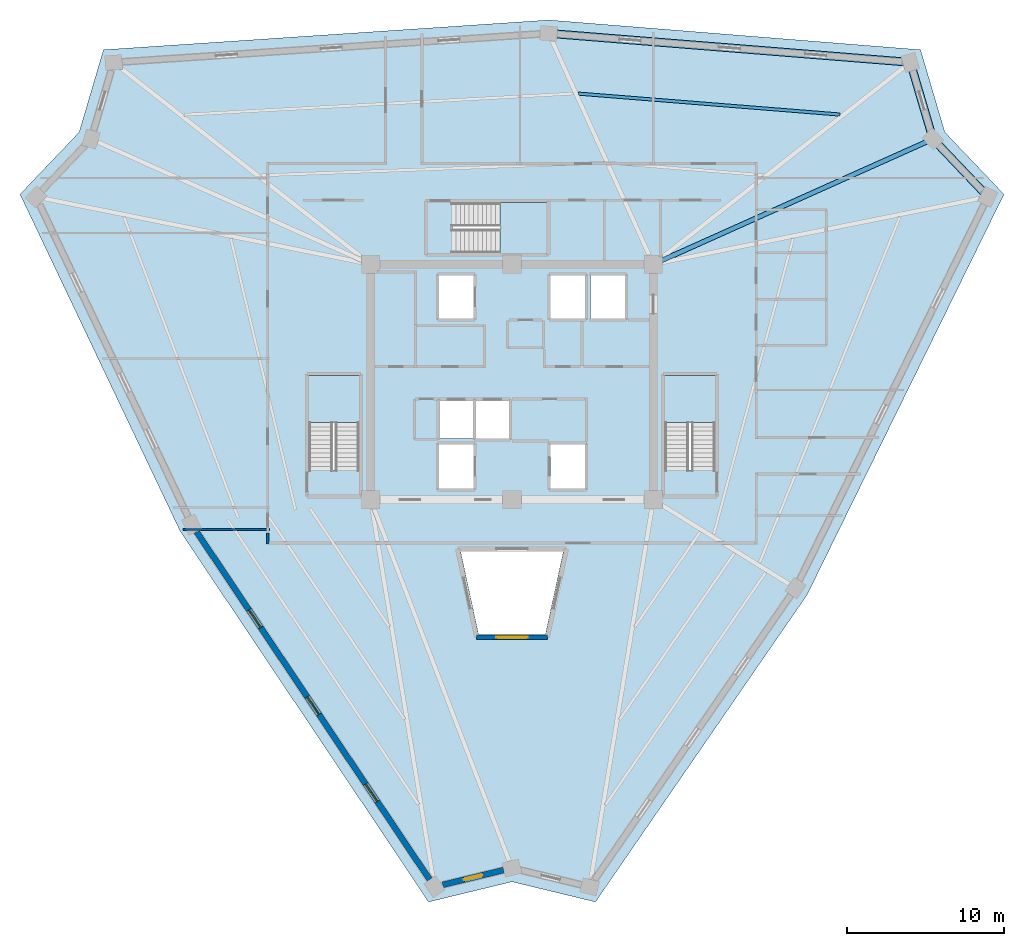
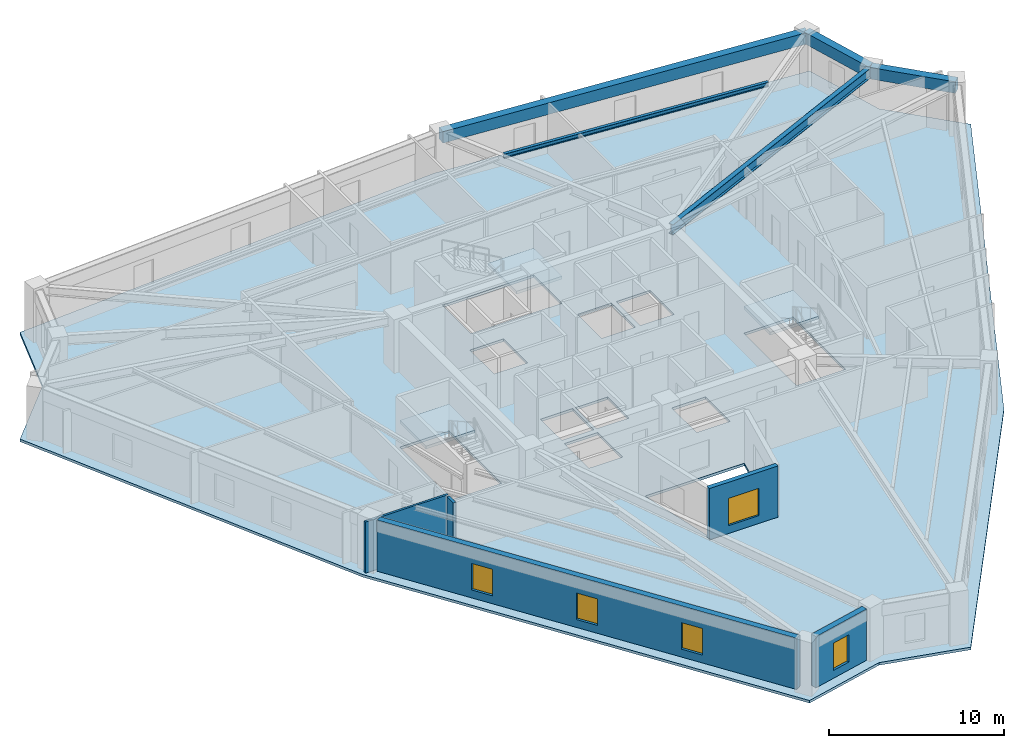
# One storey, part 2 of 8: 5 beams, 5 walls, 5 windows, 4 slabs, 5 openings, 3 elements without a shape of their own.
"""IFC4 building model written with IfcOpenShell, lengths in metres."""

from ifc_helpers import new_model, si_unit, direction, frame, frame_2d, origin, origin_2d, place, context, subcontext, project, spatial, polyline, rectangle, i_section, outline, extrude, source, transform, mapped, material, layer, layer_set, material_profile, profile_set, type_object, element, fill, aggregate, save


model = new_model("IFC4")

# Units and contexts
model_context = context("Model", 3, precision=1e-05, world=origin(), true_north=direction((0.0, 1.0)))
body_context = subcontext(model_context, "Body", "Model", "MODEL_VIEW")
ifc_project = project(units=[si_unit("LENGTHUNIT", "METRE"), si_unit("AREAUNIT", "SQUARE_METRE"), si_unit("VOLUMEUNIT", "CUBIC_METRE"), si_unit("PLANEANGLEUNIT", "RADIAN"), si_unit("MASSUNIT", "GRAM", prefix="KILO")], contexts=[model_context])

# Site, building, storey
site_placement = place(None, origin())
site = spatial("IfcSite", under=ifc_project, at=site_placement, CompositionType="ELEMENT")
building_placement = place(site_placement, origin())
building = spatial("IfcBuilding", under=site, at=building_placement, Name="Liaohun Quay Tower", CompositionType="ELEMENT")
storey_placement = place(building_placement, frame((0.0, 0.0, 301.5)))
storey = spatial("IfcBuildingStorey", under=building, at=storey_placement, Name="L78", CompositionType="ELEMENT", Elevation=301.5)

# Beams
ifc_material_1 = material(Name="Steel Q355D", Category="steel")
ifc_material_profile_1 = material_profile(ifc_material_1, i_section(OverallWidth=0.300048828125, OverallDepth=0.699951171875, WebThickness=0.012939453125, FlangeThickness=0.02392578125, at=origin_2d()), Name="HN700x300x13x24")
ifc_profile_set_1 = profile_set([ifc_material_profile_1], Name="Steel Q355D")
beam_type_1 = type_object("IfcBeamType", Name="BM-RAD-U1", PredefinedType="BEAM", material=ifc_profile_set_1)
shared_shape_1 = source(origin(), body_context, "Body", "SweptSolid", [
    extrude(i_section(OverallWidth=0.300048828125, OverallDepth=0.699951171875, WebThickness=0.012939453125, FlangeThickness=0.02392578125, at=origin_2d()), origin(), (0.0, 0.0, 1.0), 19.517822265625),
])
beam_1_placement = place(storey_placement, frame((69.0, 61.5, 3.219970703125), z_axis=(0.912599463054, 0.408854766432, 0.0), x_axis=(-0.408854766432, 0.912599463054, 0.0)))
element("IfcBeam", 1, at=beam_1_placement, inside=storey, type_object=beam_type_1, Name="L78 Radial Primary Girder CC4-PC08", PredefinedType="BEAM", context=body_context, shape_type="MappedRepresentation", body=[
    mapped(shared_shape_1, transform((0.0, 0.0, 0.0), x_axis=(1.0, 0.0, 0.0), y_axis=(0.0, 1.0, 0.0), z_axis=(0.0, 0.0, 1.0), scale=1.0)),
])
ifc_material_profile_2 = material_profile(ifc_material_1, i_section(OverallWidth=0.199951171875, OverallDepth=0.2939453125, WebThickness=0.008056640625, FlangeThickness=0.011962890625, at=origin_2d()), Name="HM294x200x8x12")
ifc_profile_set_2 = profile_set([ifc_material_profile_2], Name="Steel Q355D")
beam_type_2 = type_object("IfcBeamType", Name="BM-SEC-J4", PredefinedType="JOIST", material=ifc_profile_set_2)
shared_shape_2 = source(origin(), body_context, "Body", "SweptSolid", [
    extrude(i_section(OverallWidth=0.199951171875, OverallDepth=0.2939453125, WebThickness=0.008056640625, FlangeThickness=0.011962890625, at=origin_2d()), origin(), (0.0, 0.0, 1.0), 16.709228515625),
])
beam_2_placement = place(storey_placement, frame((64.239990234375, 72.368896484375, 3.423095703125), z_axis=(0.996808119999, -0.079834653528, 0.0), x_axis=(0.079834653528, 0.996808119999, 0.0)))
element("IfcBeam", 2, at=beam_2_placement, inside=storey, type_object=beam_type_2, Name="L78 Wing Secondary Floor Joist SJ-09", PredefinedType="JOIST", context=body_context, shape_type="MappedRepresentation", body=[
    mapped(shared_shape_2, transform((0.0, 0.0, 0.0), x_axis=(1.0, 0.0, 0.0), y_axis=(0.0, 1.0, 0.0), z_axis=(0.0, 0.0, 1.0), scale=1.0)),
])
ifc_material_2 = material(Name="Precast concrete C50", Category="concrete")
ifc_material_profile_3 = material_profile(ifc_material_2, rectangle(XDim=0.5, YDim=0.800048828125, at=origin_2d()), Name="RC500x800")
ifc_profile_set_3 = profile_set([ifc_material_profile_3], Name="Precast concrete C50")
beam_type_3 = type_object("IfcBeamType", Name="BM-SPD-Z4", PredefinedType="SPANDREL", material=ifc_profile_set_3)
shared_shape_3 = source(origin(), body_context, "Body", "SweptSolid", [
    extrude(rectangle(XDim=0.5, YDim=0.800048828125, at=origin_2d()), origin(), (0.0, 0.0, 1.0), 23.11181640625),
])
beam_3_placement = place(storey_placement, frame((62.3359375, 76.2060546875, 3.169921875), z_axis=(0.996808658259, -0.079827932585, 0.0), x_axis=(0.079827932585, 0.996808658259, 0.0)))
element("IfcBeam", 3, at=beam_3_placement, inside=storey, type_object=beam_type_3, Name="L78 Precast Spandrel Beam PC06-PC07", PredefinedType="SPANDREL", context=body_context, shape_type="MappedRepresentation", body=[
    mapped(shared_shape_3, transform((0.0, 0.0, 0.0), x_axis=(1.0, 0.0, 0.0), y_axis=(0.0, 1.0, 0.0), z_axis=(0.0, 0.0, 1.0), scale=1.0)),
])
shared_shape_4 = source(origin(), body_context, "Body", "SweptSolid", [
    extrude(rectangle(XDim=0.5, YDim=0.800048828125, at=origin_2d()), origin(), (0.0, 0.0, 1.0), 5.088623046875),
])
beam_4_placement = place(storey_placement, frame((85.3740234375, 74.361083984375, 3.169921875), z_axis=(0.282594895902, -0.959239346988, 0.0), x_axis=(0.959239346988, 0.282594895902, 0.0)))
element("IfcBeam", 4, at=beam_4_placement, inside=storey, type_object=beam_type_3, Name="L78 Precast Spandrel Beam PC07-PC08", PredefinedType="SPANDREL", context=body_context, shape_type="MappedRepresentation", body=[
    mapped(shared_shape_4, transform((0.0, 0.0, 0.0), x_axis=(1.0, 0.0, 0.0), y_axis=(0.0, 1.0, 0.0), z_axis=(0.0, 0.0, 1.0), scale=1.0)),
])
shared_shape_5 = source(origin(), body_context, "Body", "SweptSolid", [
    extrude(rectangle(XDim=0.5, YDim=0.800048828125, at=origin_2d()), origin(), (0.0, 0.0, 1.0), 5.08056640625),
])
beam_5_placement = place(storey_placement, frame((86.81201171875, 69.47998046875, 3.169921875), z_axis=(0.689275908539, -0.724498945415, 0.0), x_axis=(0.724498945415, 0.689275908539, 0.0)))
element("IfcBeam", 5, at=beam_5_placement, inside=storey, type_object=beam_type_3, Name="L78 Precast Spandrel Beam PC08-PC09", PredefinedType="SPANDREL", context=body_context, shape_type="MappedRepresentation", body=[
    mapped(shared_shape_5, transform((0.0, 0.0, 0.0), x_axis=(1.0, 0.0, 0.0), y_axis=(0.0, 1.0, 0.0), z_axis=(0.0, 0.0, 1.0), scale=1.0)),
])

# Stair, slab
ifc_material_3 = material(Name="Concrete C45", Category="concrete")
stair_type = type_object("IfcStairType", Name="STR-CORE-OFF", PredefinedType="HALF_TURN_STAIR", material=ifc_material_3)
stair_1_placement = place(storey_placement, origin())
stair_1 = element("IfcStair", 6, at=stair_1_placement, inside=storey, type_object=stair_type, Name="L78 Smokeproof Core Exit Stair ST-1", PredefinedType="HALF_TURN_STAIR")
ifc_layer_1 = layer(ifc_material_3, 0.199951171875, Name="Concrete C45", Category="concrete")
ifc_layer_set_1 = layer_set([ifc_layer_1], Name="Concrete C45")
slab_type_1 = type_object("IfcSlabType", Name="SLB-LND-200", PredefinedType="LANDING", material=ifc_layer_set_1)
slab_1_placement = place(storey_placement, frame((0.0, 0.0, 1.675048828125)))
slab_1 = element("IfcSlab", 7, at=slab_1_placement, type_object=slab_type_1, Name="ST-1 landing 1", PredefinedType="LANDING", context=body_context, shape_type="SweptSolid", body=[
    extrude(outline(polyline([(50.280029296875, 51.429931640625), (50.280029296875, 54.419921875), (47.0400390625, 54.419921875), (47.0400390625, 51.429931640625), (50.280029296875, 51.429931640625)])), origin(), (0.0, 0.0, 1.0), 0.199951171875),
])
aggregate(stair_1, [slab_1])

stair_2_placement = place(storey_placement, origin())
stair_2 = element("IfcStair", 8, at=stair_2_placement, inside=storey, type_object=stair_type, Name="L78 Smokeproof Core Exit Stair ST-2", PredefinedType="HALF_TURN_STAIR")
slab_2_placement = place(storey_placement, frame((0.0, 0.0, 1.675048828125)))
slab_2 = element("IfcSlab", 9, at=slab_2_placement, type_object=slab_type_1, Name="ST-2 landing 1", PredefinedType="LANDING", context=body_context, shape_type="SweptSolid", body=[
    extrude(outline(polyline([(72.9599609375, 51.429931640625), (72.9599609375, 54.419921875), (69.719970703125, 54.419921875), (69.719970703125, 51.429931640625), (72.9599609375, 51.429931640625)])), origin(), (0.0, 0.0, 1.0), 0.199951171875),
])
aggregate(stair_2, [slab_2])

stair_3_placement = place(storey_placement, origin())
stair_3 = element("IfcStair", 10, at=stair_3_placement, inside=storey, type_object=stair_type, Name="L78 Smokeproof Core Exit Stair ST-3", PredefinedType="HALF_TURN_STAIR")
slab_3_placement = place(storey_placement, frame((0.0, 0.0, 1.675048828125)))
slab_3 = element("IfcSlab", 11, at=slab_3_placement, type_object=slab_type_1, Name="ST-3 landing 1", PredefinedType="LANDING", context=body_context, shape_type="SweptSolid", body=[
    extrude(outline(polyline([(59.22998046875, 62.199951171875), (62.219970703125, 62.199951171875), (62.219970703125, 65.43994140625), (59.22998046875, 65.43994140625), (59.22998046875, 62.199951171875)])), origin(), (0.0, 0.0, 1.0), 0.199951171875),
])
aggregate(stair_3, [slab_3])

# Slab
ifc_layer_2 = layer(ifc_material_3, 0.179931640625, Name="Concrete C45", Category="concrete")
ifc_layer_set_2 = layer_set([ifc_layer_2], Name="Concrete C45")
slab_type_2 = type_object("IfcSlabType", Name="SLB-OFF-180", PredefinedType="FLOOR", material=ifc_layer_set_2)
slab_4_placement = place(storey_placement, frame((0.0, 0.0, -0.179931640625)))
element("IfcSlab", 12, at=slab_4_placement, inside=storey, type_object=slab_type_2, Name="L78 Structural Floor Slab", PredefinedType="FLOOR", context=body_context, shape_type="SweptSolid", body=[
    extrude(outline(polyline([(54.68505859375, 20.882080078125), (60.0, 22.166015625), (65.31494140625, 20.882080078125), (78.797119140625, 40.443115234375), (91.337890625, 65.9560546875), (87.569091796875, 69.9169921875), (86.02392578125, 75.162109375), (62.342041015625, 77.05810546875), (33.97607421875, 75.162109375), (32.430908203125, 69.9169921875), (28.662109375, 65.9560546875), (38.861083984375, 44.5), (54.68505859375, 20.882080078125)]), holes=[polyline([(57.56005859375, 50.030029296875), (55.340087890625, 50.030029296875), (55.340087890625, 47.2099609375), (57.56005859375, 47.2099609375), (57.56005859375, 50.030029296875)]), polyline([(47.0400390625, 54.419921875), (47.0400390625, 48.409912109375), (50.280029296875, 48.409912109375), (50.280029296875, 54.419921875), (47.0400390625, 54.419921875)]), polyline([(57.510009765625, 52.81005859375), (55.389892578125, 52.81005859375), (55.389892578125, 50.389892578125), (57.510009765625, 50.389892578125), (57.510009765625, 52.81005859375)]), polyline([(59.81005859375, 50.389892578125), (59.81005859375, 52.81005859375), (57.68994140625, 52.81005859375), (57.68994140625, 50.389892578125), (59.81005859375, 50.389892578125)]), polyline([(57.56005859375, 58.0400390625), (57.56005859375, 60.7900390625), (55.340087890625, 60.7900390625), (55.340087890625, 58.0400390625), (57.56005859375, 58.0400390625)]), polyline([(62.219970703125, 65.43994140625), (56.2099609375, 65.43994140625), (56.2099609375, 62.199951171875), (62.219970703125, 62.199951171875), (62.219970703125, 65.43994140625)]), polyline([(62.1240234375, 37.909912109375), (63.26806640625, 43.199951171875), (56.73193359375, 43.199951171875), (57.8759765625, 37.909912109375), (62.1240234375, 37.909912109375)]), polyline([(64.659912109375, 47.2099609375), (64.659912109375, 50.030029296875), (62.43994140625, 50.030029296875), (62.43994140625, 47.2099609375), (64.659912109375, 47.2099609375)]), polyline([(69.719970703125, 54.419921875), (69.719970703125, 48.409912109375), (72.9599609375, 48.409912109375), (72.9599609375, 54.419921875), (69.719970703125, 54.419921875)]), polyline([(64.659912109375, 58.0400390625), (64.659912109375, 60.7900390625), (62.43994140625, 60.7900390625), (62.43994140625, 58.0400390625), (64.659912109375, 58.0400390625)]), polyline([(67.2099609375, 58.0400390625), (67.2099609375, 60.7900390625), (64.989990234375, 60.7900390625), (64.989990234375, 58.0400390625), (67.2099609375, 58.0400390625)])]), origin(), (0.0, 0.0, 1.0), 0.179931640625),
])

# Wall, opening, window
ifc_material_4 = material(Name="Concrete C50", Category="concrete")
ifc_layer_3 = layer(ifc_material_4, 0.300048828125, Name="Concrete C50", Category="concrete")
ifc_layer_set_3 = layer_set([ifc_layer_3], Name="Concrete C50")
wall_type_1 = type_object("IfcWallType", Name="WAL-ATR-300", PredefinedType="SOLIDWALL", material=ifc_layer_set_3)
wall_1_placement = place(storey_placement, frame((62.260986328125, 37.739990234375, 0.0), z_axis=(0.0, 0.0, 1.0), x_axis=(-1.0, 0.0, 0.0)))
wall_1 = element("IfcWall", 13, at=wall_1_placement, inside=storey, type_object=wall_type_1, Name="L78 Atrium Fire Compartment Wall 4", PredefinedType="SOLIDWALL", context=body_context, shape_type="SweptSolid", body=[
    extrude(rectangle(XDim=4.52197265625, YDim=0.300048828125, at=frame_2d((2.260986328125, 0.0))), origin(), (0.0, 0.0, 1.0), 3.570068359375),
])
shared_shape_6 = source(origin(), body_context, "Body", "SweptSolid", [
    extrude(rectangle(XDim=2.0, YDim=1.89990234375, at=frame_2d((1.0, 0.949951171875))), frame((0.0, 0.159912109375, 0.0), z_axis=(0.0, -1.0, 0.0), x_axis=(1.0, 0.0, 0.0)), (0.0, 0.0, 1.0), 0.320068359375),
])
opening_1_placement = place(wall_1_placement, frame((1.260986328125, 0.0, 0.550048828125)))
opening_1 = element("IfcOpeningElement", 14, at=opening_1_placement, cuts=wall_1, Name="Opening W07", PredefinedType="OPENING", context=body_context, shape_type="MappedRepresentation", body=[
    mapped(shared_shape_6, transform((0.0, 0.0, 0.0), x_axis=(1.0, 0.0, 0.0), y_axis=(0.0, 1.0, 0.0), z_axis=(0.0, 0.0, 1.0), scale=1.0)),
])
ifc_material_5 = material(Name="Class A 180-min fire-resistant insulated glazing", Category="glass")
window_type_1 = type_object("IfcWindowType", Name="WIN-ATR-FIR", PartitioningType="DOUBLE_PANEL_VERTICAL", PredefinedType="WINDOW", material=ifc_material_5)
shared_shape_7 = source(origin(), body_context, "Body", "SweptSolid", [
    extrude(rectangle(XDim=2.0, YDim=1.89990234375, at=frame_2d((1.0, 0.949951171875))), frame((0.0, 0.030029296875, 0.0), z_axis=(0.0, -1.0, 0.0), x_axis=(1.0, 0.0, 0.0)), (0.0, 0.0, 1.0), 0.06005859375),
])
window_1_placement = place(opening_1_placement, origin())
window_1 = element("IfcWindow", 15, at=window_1_placement, inside=storey, type_object=window_type_1, Name="L78 Atrium Fire-Resistant Glazing W07-4", OverallHeight=1.89990234375, OverallWidth=2.0, PartitioningType="DOUBLE_PANEL_VERTICAL", PredefinedType="WINDOW", context=body_context, shape_type="MappedRepresentation", body=[
    mapped(shared_shape_7, transform((0.0, 0.0, 0.0), x_axis=(1.0, 0.0, 0.0), y_axis=(0.0, 1.0, 0.0), z_axis=(0.0, 0.0, 1.0), scale=1.0)),
])
fill(opening_1, window_1)

# Wall, openings, windows
ifc_material_6 = material(Name="Precast concrete C50 insulated sandwich", Category="concrete")
ifc_layer_4 = layer(ifc_material_6, 0.3798828125, Name="Precast concrete C50 insulated sandwich", Category="concrete")
ifc_layer_set_4 = layer_set([ifc_layer_4], Name="Precast concrete C50 insulated sandwich")
wall_type_2 = type_object("IfcWallType", Name="WAL-EXT-Z34", PredefinedType="SOLIDWALL", material=ifc_layer_set_4)
wall_2_placement = place(storey_placement, frame((39.903076171875, 44.471923828125, 0.0), z_axis=(0.0, 0.0, 1.0), x_axis=(0.556589940211, -0.830787360554, 0.0)))
wall_2 = element("IfcWall", 16, at=wall_2_placement, inside=storey, type_object=wall_type_2, Name="L78 Brutalist Precast Pier Wall 11", PredefinedType="SOLIDWALL", context=body_context, shape_type="SweptSolid", body=[
    extrude(rectangle(XDim=26.69287109375, YDim=0.3798828125, at=frame_2d((13.346435546875, 0.0))), origin(), (0.0, 0.0, 1.0), 3.570068359375),
])
shared_shape_8 = source(origin(), body_context, "Body", "SweptSolid", [
    extrude(rectangle(XDim=1.35009765625, YDim=1.85009765625, at=frame_2d((0.675048828125, 0.925048828125))), frame((0.0, 0.199951171875, 0.0), z_axis=(0.0, -1.0, 0.0), x_axis=(1.0, 0.0, 0.0)), (0.0, 0.0, 1.0), 0.39990234375),
])
opening_2_placement = place(wall_2_placement, frame((5.998046875, 0.0, 0.550048828125)))
opening_2 = element("IfcOpeningElement", 17, at=opening_2_placement, cuts=wall_2, Name="Opening W04", PredefinedType="OPENING", context=body_context, shape_type="MappedRepresentation", body=[
    mapped(shared_shape_8, transform((0.0, 0.0, 0.0), x_axis=(1.0, 0.0, 0.0), y_axis=(0.0, 1.0, 0.0), z_axis=(0.0, 0.0, 1.0), scale=1.0)),
])
opening_3_placement = place(wall_2_placement, frame((12.6708984375, 0.0, 0.550048828125)))
opening_3 = element("IfcOpeningElement", 18, at=opening_3_placement, cuts=wall_2, Name="Opening W04", PredefinedType="OPENING", context=body_context, shape_type="MappedRepresentation", body=[
    mapped(shared_shape_8, transform((0.0, 0.0, 0.0), x_axis=(1.0, 0.0, 0.0), y_axis=(0.0, 1.0, 0.0), z_axis=(0.0, 0.0, 1.0), scale=1.0)),
])
opening_4_placement = place(wall_2_placement, frame((19.344970703125, 0.0, 0.550048828125)))
opening_4 = element("IfcOpeningElement", 19, at=opening_4_placement, cuts=wall_2, Name="Opening W04", PredefinedType="OPENING", context=body_context, shape_type="MappedRepresentation", body=[
    mapped(shared_shape_8, transform((0.0, 0.0, 0.0), x_axis=(1.0, 0.0, 0.0), y_axis=(0.0, 1.0, 0.0), z_axis=(0.0, 0.0, 1.0), scale=1.0)),
])
ifc_material_7 = material(Name="Triple Low-E argon glazing in thermally broken aluminium", Category="aluminium")
window_type_2 = type_object("IfcWindowType", Name="WIN-PUN-Z4", PartitioningType="SINGLE_PANEL", PredefinedType="WINDOW", material=ifc_material_7)
shared_shape_9 = source(origin(), body_context, "Body", "SweptSolid", [
    extrude(rectangle(XDim=1.35009765625, YDim=1.85009765625, at=frame_2d((0.675048828125, 0.925048828125))), frame((0.0, 0.030029296875, 0.0), z_axis=(0.0, -1.0, 0.0), x_axis=(1.0, 0.0, 0.0)), (0.0, 0.0, 1.0), 0.06005859375),
])
window_2_placement = place(opening_2_placement, origin())
window_2 = element("IfcWindow", 20, at=window_2_placement, inside=storey, type_object=window_type_2, Name="L78 Recessed Cold-Climate Punched Window 11-1", OverallHeight=1.85009765625, OverallWidth=1.35009765625, PartitioningType="SINGLE_PANEL", PredefinedType="WINDOW", context=body_context, shape_type="MappedRepresentation", body=[
    mapped(shared_shape_9, transform((0.0, 0.0, 0.0), x_axis=(1.0, 0.0, 0.0), y_axis=(0.0, 1.0, 0.0), z_axis=(0.0, 0.0, 1.0), scale=1.0)),
])
fill(opening_2, window_2)
window_3_placement = place(opening_3_placement, origin())
window_3 = element("IfcWindow", 21, at=window_3_placement, inside=storey, type_object=window_type_2, Name="L78 Recessed Cold-Climate Punched Window 11-2", OverallHeight=1.85009765625, OverallWidth=1.35009765625, PartitioningType="SINGLE_PANEL", PredefinedType="WINDOW", context=body_context, shape_type="MappedRepresentation", body=[
    mapped(shared_shape_9, transform((0.0, 0.0, 0.0), x_axis=(1.0, 0.0, 0.0), y_axis=(0.0, 1.0, 0.0), z_axis=(0.0, 0.0, 1.0), scale=1.0)),
])
fill(opening_3, window_3)
window_4_placement = place(opening_4_placement, origin())
window_4 = element("IfcWindow", 22, at=window_4_placement, inside=storey, type_object=window_type_2, Name="L78 Recessed Cold-Climate Punched Window 11-3", OverallHeight=1.85009765625, OverallWidth=1.35009765625, PartitioningType="SINGLE_PANEL", PredefinedType="WINDOW", context=body_context, shape_type="MappedRepresentation", body=[
    mapped(shared_shape_9, transform((0.0, 0.0, 0.0), x_axis=(1.0, 0.0, 0.0), y_axis=(0.0, 1.0, 0.0), z_axis=(0.0, 0.0, 1.0), scale=1.0)),
])
fill(opening_4, window_4)

# Wall, opening, window
wall_3_placement = place(storey_placement, frame((55.5859375, 21.97412109375, 0.0), z_axis=(0.0, 0.0, 1.0), x_axis=(0.972070688758, 0.234688252917, 0.0)))
wall_3 = element("IfcWall", 23, at=wall_3_placement, inside=storey, type_object=wall_type_2, Name="L78 Brutalist Precast Pier Wall 12", PredefinedType="SOLIDWALL", context=body_context, shape_type="SweptSolid", body=[
    extrude(rectangle(XDim=4.0009765625, YDim=0.3798828125, at=frame_2d((2.00048828125, 0.0))), origin(), (0.0, 0.0, 1.0), 3.570068359375),
])
shared_shape_10 = source(origin(), body_context, "Body", "SweptSolid", [
    extrude(rectangle(XDim=1.199951171875, YDim=1.89990234375, at=frame_2d((0.60009765625, 0.949951171875))), frame((0.0, 0.199951171875, 0.0), z_axis=(0.0, -1.0, 0.0), x_axis=(1.0, 0.0, 0.0)), (0.0, 0.0, 1.0), 0.39990234375),
])
opening_5_placement = place(wall_3_placement, frame((1.39990234375, 0.0, 0.550048828125)))
opening_5 = element("IfcOpeningElement", 24, at=opening_5_placement, cuts=wall_3, Name="Opening W05", PredefinedType="OPENING", context=body_context, shape_type="MappedRepresentation", body=[
    mapped(shared_shape_10, transform((0.0, 0.0, 0.0), x_axis=(1.0, 0.0, 0.0), y_axis=(0.0, 1.0, 0.0), z_axis=(0.0, 0.0, 1.0), scale=1.0)),
])
ifc_material_8 = material(Name="Triple Low-E corner notch glazing", Category="glass")
window_type_3 = type_object("IfcWindowType", Name="WIN-NOTCH", PartitioningType="SINGLE_PANEL", PredefinedType="WINDOW", material=ifc_material_8)
shared_shape_11 = source(origin(), body_context, "Body", "SweptSolid", [
    extrude(rectangle(XDim=1.199951171875, YDim=1.89990234375, at=frame_2d((0.60009765625, 0.949951171875))), frame((0.0, 0.030029296875, 0.0), z_axis=(0.0, -1.0, 0.0), x_axis=(1.0, 0.0, 0.0)), (0.0, 0.0, 1.0), 0.06005859375),
])
window_5_placement = place(opening_5_placement, origin())
window_5 = element("IfcWindow", 25, at=window_5_placement, inside=storey, type_object=window_type_3, Name="L78 Corner Notch Window W05-12", OverallHeight=1.89990234375, OverallWidth=1.199951171875, PartitioningType="SINGLE_PANEL", PredefinedType="WINDOW", context=body_context, shape_type="MappedRepresentation", body=[
    mapped(shared_shape_11, transform((0.0, 0.0, 0.0), x_axis=(1.0, 0.0, 0.0), y_axis=(0.0, 1.0, 0.0), z_axis=(0.0, 0.0, 1.0), scale=1.0)),
])
fill(opening_5, window_5)

# Walls
ifc_material_9 = material(Name="Autoclaved aerated concrete blockwork", Category="masonry")
ifc_layer_5 = layer(ifc_material_9, 0.179931640625, Name="Autoclaved aerated concrete blockwork", Category="masonry")
ifc_layer_set_5 = layer_set([ifc_layer_5], Name="Autoclaved aerated concrete blockwork")
wall_type_3 = type_object("IfcWallType", Name="WAL-PRT-COR", PredefinedType="PARTITIONING", material=ifc_layer_set_5)
wall_4_placement = place(storey_placement, frame((44.43994140625, 43.669921875, 0.0), z_axis=(0.0, 0.0, 1.0), x_axis=(0.0, 1.0, 0.0)))
element("IfcWall", 26, at=wall_4_placement, inside=storey, type_object=wall_type_3, Name="L78 Interior Partition Wall 046", PredefinedType="PARTITIONING", context=body_context, shape_type="SweptSolid", body=[
    extrude(rectangle(XDim=0.715087890625, YDim=0.179931640625, at=frame_2d((0.357421875, 0.0))), origin(), (0.0, 0.0, 1.0), 3.570068359375),
])
ifc_material_10 = material(Name="Gypsum board on twin steel studs", Category="steel")
ifc_layer_6 = layer(ifc_material_10, 0.139892578125, Name="Gypsum board on twin steel studs", Category="steel")
ifc_layer_set_6 = layer_set([ifc_layer_6], Name="Gypsum board on twin steel studs")
wall_type_4 = type_object("IfcWallType", Name="WAL-PRT-OFF", PredefinedType="PARTITIONING", material=ifc_layer_set_6)
wall_5_placement = place(storey_placement, frame((44.5400390625, 44.60009765625, 0.0), z_axis=(0.0, 0.0, 1.0), x_axis=(-1.0, 0.0, 0.0)))
element("IfcWall", 27, at=wall_5_placement, inside=storey, type_object=wall_type_4, Name="L78 Interior Partition Wall 049", PredefinedType="PARTITIONING", context=body_context, shape_type="SweptSolid", body=[
    extrude(rectangle(XDim=5.48095703125, YDim=0.139892578125, at=frame_2d((2.740478515625, 0.0))), origin(), (0.0, 0.0, 1.0), 3.570068359375),
])

save(model, "model.ifc")
